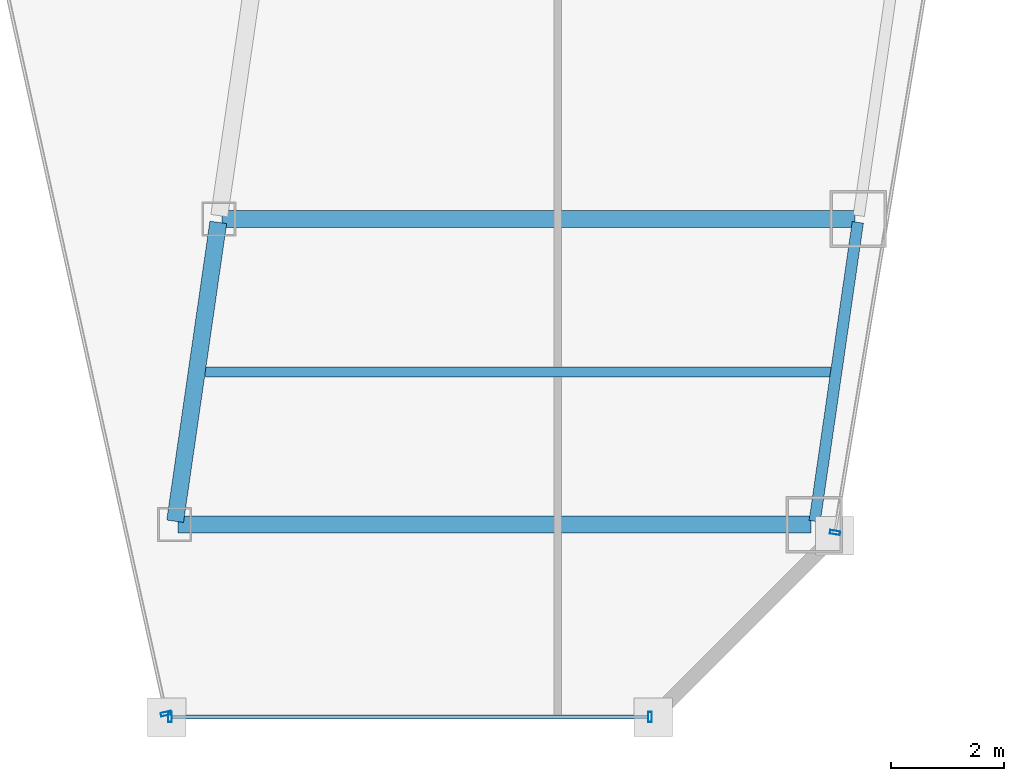
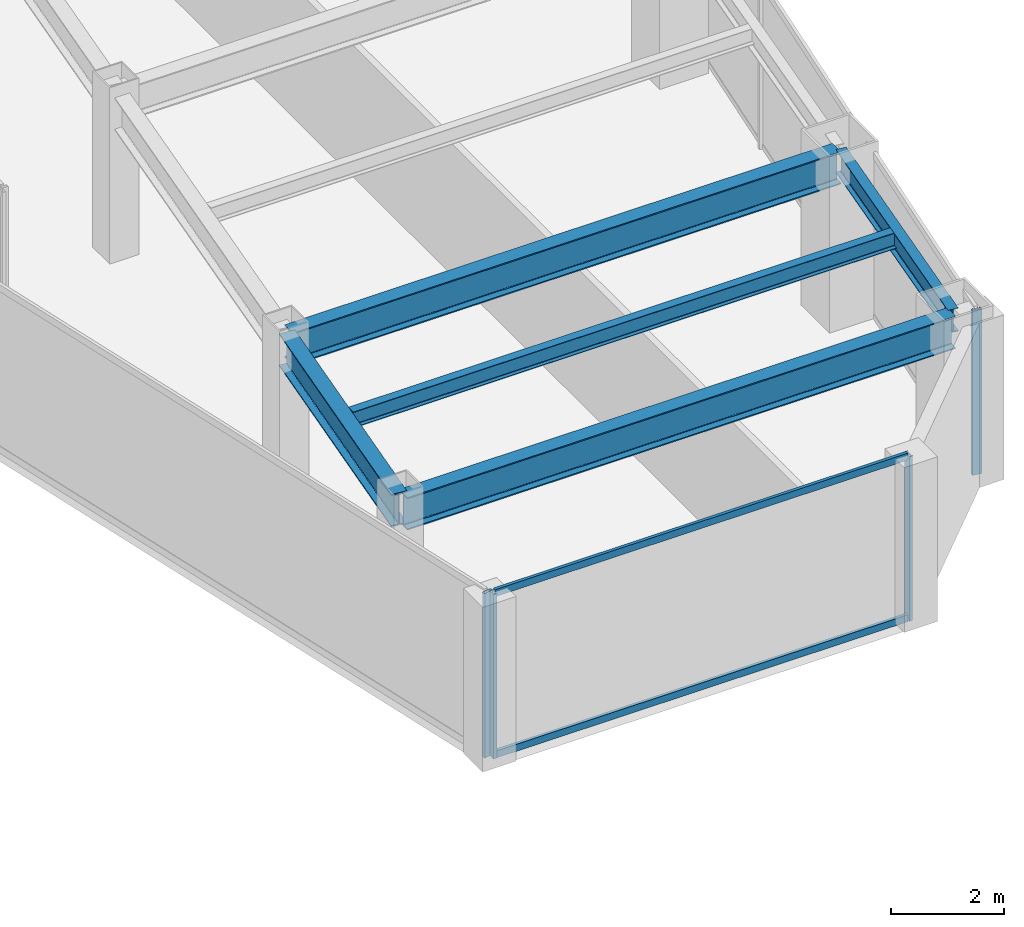
# One storey, part 14 of 37: 6 members, 5 beams, 3 elements without a shape of their own.
"""IFC4 building model written with IfcOpenShell, lengths in metres."""

import ifcopenshell
import ifcopenshell.guid

model = None  # the IFC model being written
_history = None  # IfcOwnerHistory: only IFC2X3 demands one
_inside = {}  # id of a spatial element -> (the spatial element, [elements in it])
_under = {}  # id of a project, library or spatial element -> (it, [spatial elements below it])
_declared = {}  # id of a project -> (the project, [libraries it declares])
_typed = {}  # id of a type object -> (the type object, [elements of that type])
_made_of = {}  # id of a material, layer set ... -> (it, [elements and type objects made of it])


def new_model(schema):
    """Start an empty IFC model of exactly this schema.

    Asked for "IFC4X3", IfcOpenShell would pick the latest addendum, in which some entities
    have other attributes; the version numbers below select the first issue.
    IFC2X3 requires an IfcOwnerHistory on every rooted entity: one is made here for all.
    """
    global model, _history
    if schema == "IFC4X3":
        model = ifcopenshell.file(schema_version=(4, 3, 0, 0))
    else:
        model = ifcopenshell.file(schema=schema)
    _inside.clear()
    _under.clear()
    _declared.clear()
    _typed.clear()
    _made_of.clear()
    _history = None
    if model.schema == "IFC2X3":
        org = make("IfcOrganization", Name="unknown")
        user = make(
            "IfcPersonAndOrganization",
            ThePerson=make("IfcPerson", FamilyName="unknown"),
            TheOrganization=org,
        )
        app = make(
            "IfcApplication",
            ApplicationDeveloper=org,
            Version="unknown",
            ApplicationFullName="unknown",
            ApplicationIdentifier="unknown",
        )
        _history = make(
            "IfcOwnerHistory",
            OwningUser=user,
            OwningApplication=app,
            ChangeAction="ADDED",
            CreationDate=0,
        )
    return model


def make(cls, **values):
    """One entity of the class cls with the attributes given. An attribute that is None is left unset."""
    return model.create_entity(
        cls, **{name: value for name, value in values.items() if value is not None}
    )


def rooted(cls, **values):
    """An entity with a GlobalId (a new one), such as an element, a storey or a relation."""
    return make(cls, GlobalId=ifcopenshell.guid.new(), OwnerHistory=_history, **values)


def si_unit(unit_type, name, prefix=None):
    """IfcSIUnit, for example si_unit("LENGTHUNIT", "METRE", prefix="MILLI")."""
    return make("IfcSIUnit", UnitType=unit_type, Prefix=prefix, Name=name)


def assignment(units):
    """IfcUnitAssignment: the units of a project."""
    return None if units is None else make("IfcUnitAssignment", Units=units)


def point(xyz):
    """IfcCartesianPoint."""
    return None if xyz is None else make("IfcCartesianPoint", Coordinates=xyz)


def direction(xyz):
    """IfcDirection."""
    return None if xyz is None else make("IfcDirection", DirectionRatios=xyz)


def frame(location, z_axis=None, x_axis=None):
    """IfcAxis2Placement3D, a coordinate frame: its origin and axes. An axis left out is left unset."""
    return make(
        "IfcAxis2Placement3D",
        Location=point(location),
        Axis=direction(z_axis),
        RefDirection=direction(x_axis),
    )


def frame_2d(location, x_axis=None):
    """IfcAxis2Placement2D, a coordinate frame in the plane: its origin and x axis."""
    return make(
        "IfcAxis2Placement2D", Location=point(location), RefDirection=direction(x_axis)
    )


def origin():
    """The frame at (0, 0, 0) with its axes left unset."""
    return frame((0.0, 0.0, 0.0))


def origin_2d():
    """The frame at (0, 0) in the plane with its x axis left unset."""
    return frame_2d((0.0, 0.0))


def place(relative_to, where):
    """IfcLocalPlacement: puts the frame where relative to a parent placement (None: the world)."""
    return make(
        "IfcLocalPlacement", PlacementRelTo=relative_to, RelativePlacement=where
    )


def context(
    kind, dimensions, precision=None, world=None, true_north=None, identifier=None
):
    """IfcGeometricRepresentationContext, for example the 3D "Model" context."""
    return make(
        "IfcGeometricRepresentationContext",
        ContextIdentifier=identifier,
        ContextType=kind,
        CoordinateSpaceDimension=dimensions,
        Precision=precision,
        WorldCoordinateSystem=world,
        TrueNorth=true_north,
    )


def subcontext(parent, identifier, kind, view, scale=None):
    """IfcGeometricRepresentationSubContext, for example "Body" below "Model"."""
    return make(
        "IfcGeometricRepresentationSubContext",
        ContextIdentifier=identifier,
        ContextType=kind,
        ParentContext=parent,
        TargetScale=scale,
        TargetView=view,
    )


def project(units=None, contexts=None):
    """IfcProject with its units and contexts."""
    return rooted(
        "IfcProject",
        Name="project",
        RepresentationContexts=contexts,
        UnitsInContext=assignment(units),
    )


def spatial(cls, under=None, at=None, **own):
    """A site, building, storey or space (cls), placed at a placement, below another one or the project."""
    s = rooted(cls, ObjectPlacement=at, **own)
    if under is not None:
        _under.setdefault(under.id(), (under, []))[1].append(s)
    return s


def profile(cls, at=None, kind="AREA", **sizes):
    """A parametric profile (cls). Its sizes go by their IFC names, for example OverallWidth=200.0."""
    return make(cls, ProfileType=kind, Position=at, **sizes)


def hollow_rectangle(**sizes):
    """IfcRectangleHollowProfileDef."""
    return profile("IfcRectangleHollowProfileDef", **sizes)


def i_section(**sizes):
    """IfcIShapeProfileDef."""
    return profile("IfcIShapeProfileDef", **sizes)


def extrude(swept, where, along, depth):
    """IfcExtrudedAreaSolid: the profile swept, set in the frame where, extruded along a direction by depth."""
    return make(
        "IfcExtrudedAreaSolid",
        SweptArea=swept,
        Position=where,
        ExtrudedDirection=direction(along),
        Depth=depth,
    )


def shape(context_of_items, identifier, shape_type, items):
    """IfcShapeRepresentation: the items that make up one representation, for example the "Body"."""
    return make(
        "IfcShapeRepresentation",
        ContextOfItems=context_of_items,
        RepresentationIdentifier=identifier,
        RepresentationType=shape_type,
        Items=items,
    )


def material(Name=None, Category=None):
    """IfcMaterial."""
    return make("IfcMaterial", Name=Name, Category=Category)


def material_profile(
    of_material, cross_section, Name=None, Category=None, Priority=None
):
    """IfcMaterialProfile: a cross section and its material."""
    return make(
        "IfcMaterialProfile",
        Name=Name,
        Material=of_material,
        Profile=cross_section,
        Priority=Priority,
        Category=Category,
    )


def profile_set(profiles, Name=None, composite=None):
    """IfcMaterialProfileSet."""
    return make(
        "IfcMaterialProfileSet",
        Name=Name,
        MaterialProfiles=profiles,
        CompositeProfile=composite,
    )


def made_of(thing, what):
    """Note that an element or type object is made of a material, layer set ...; save() writes the relation."""
    if what is not None:
        _made_of.setdefault(what.id(), (what, []))[1].append(thing)
    return thing


def type_object(cls, material=None, **own):
    """A type object (cls), such as IfcWallType, which elements share."""
    return made_of(rooted(cls, **own), material)


def element(
    cls,
    number,
    at=None,
    inside=None,
    cuts=None,
    type_object=None,
    material=None,
    context=None,
    identifier="Body",
    shape_type=None,
    held_by="IfcProductDefinitionShape",
    body=None,
    shapes=None,
    **own,
):
    """One element of the class cls, such as IfcWall. Its Tag is "e" and its number.

    at: its placement. inside: the storey or other place that contains it. cuts: it is an
    opening in that element (IfcRelVoidsElement). A single representation is given by context,
    identifier, shape_type and body (its items); several are given by shapes. held_by: the class
    of the entity that holds the representations. save() writes the other relations.
    """
    e = rooted(cls, Tag="e%d" % number, ObjectPlacement=at, **own)
    if body is not None:
        shapes = [shape(context, identifier, shape_type, body)]
    if shapes is not None:
        e.Representation = make(held_by, Representations=shapes)
    if inside is not None:
        _inside.setdefault(inside.id(), (inside, []))[1].append(e)
    if cuts is not None:
        rooted(
            "IfcRelVoidsElement", RelatingBuildingElement=cuts, RelatedOpeningElement=e
        )
    if type_object is not None:
        _typed.setdefault(type_object.id(), (type_object, []))[1].append(e)
    return made_of(e, material)


def aggregate(whole, parts):
    """IfcRelAggregates: a whole, such as a stair, and the parts it consists of."""
    return rooted("IfcRelAggregates", RelatingObject=whole, RelatedObjects=parts)


def save(model, path):
    """Write the relations noted so far, then the file.

    IfcRelAggregates (storeys below a building ...), IfcRelContainedInSpatialStructure (elements
    in a storey), IfcRelDefinesByType, IfcRelAssociatesMaterial and IfcRelDeclares: one each for
    every whole, place, type object, material and project.
    """
    for whole, parts in _under.values():
        aggregate(whole, parts)
    for where, things in _inside.values():
        rooted(
            "IfcRelContainedInSpatialStructure",
            RelatedElements=things,
            RelatingStructure=where,
        )
    for kind, things in _typed.values():
        rooted("IfcRelDefinesByType", RelatedObjects=things, RelatingType=kind)
    for what, things in _made_of.values():
        rooted("IfcRelAssociatesMaterial", RelatedObjects=things, RelatingMaterial=what)
    for by, libraries in _declared.values():
        rooted("IfcRelDeclares", RelatingContext=by, RelatedDefinitions=libraries)
    model.write(path)


model = new_model("IFC4")

# Units and contexts
model_context = context("Model", 3, precision=1e-05, world=origin(), true_north=direction((0.0, 1.0)))
body_context = subcontext(model_context, "Body", "Model", "MODEL_VIEW")
ifc_project = project(units=[si_unit("LENGTHUNIT", "METRE"), si_unit("AREAUNIT", "SQUARE_METRE"), si_unit("VOLUMEUNIT", "CUBIC_METRE"), si_unit("PLANEANGLEUNIT", "RADIAN"), si_unit("MASSUNIT", "GRAM", prefix="KILO")], contexts=[model_context])

# Site, building, storey
site_placement = place(None, origin())
site = spatial("IfcSite", under=ifc_project, at=site_placement, CompositionType="ELEMENT")
building_placement = place(site_placement, origin())
building = spatial("IfcBuilding", under=site, at=building_placement, Name="Saevonmaru Cultural Tower", CompositionType="ELEMENT")
storey_placement = place(building_placement, frame((0.0, 0.0, 160.0)))
storey = spatial("IfcBuildingStorey", under=building, at=storey_placement, Name="L35", CompositionType="ELEMENT", Elevation=160.0)

# Beams
ifc_material_1 = material(Name="Steel SM355", Category="steel")
ifc_material_profile_1 = material_profile(ifc_material_1, i_section(OverallWidth=0.300048828125, OverallDepth=0.699951171875, WebThickness=0.012939453125, FlangeThickness=0.02392578125, FilletRadius=0.02587890625, at=origin_2d()), Name="H-700x300x13x24")
ifc_profile_set_1 = profile_set([ifc_material_profile_1], Name="Steel SM355")
beam_type_1 = type_object("IfcBeamType", Name="BM-G-H700", PredefinedType="BEAM", material=ifc_profile_set_1)
beam_1_placement = place(storey_placement, frame((37.300537109375, 10.659423828125, 3.199951171875), z_axis=(0.142977693794, 0.989725911087, 0.0), x_axis=(-0.989725911087, 0.142977693794, 0.0)))
element("IfcBeam", 1, at=beam_1_placement, inside=storey, type_object=beam_type_1, Name="L35 East Atrium Girder 1", PredefinedType="BEAM", context=body_context, shape_type="SweptSolid", body=[
    extrude(i_section(OverallWidth=0.300048828125, OverallDepth=0.699951171875, WebThickness=0.012939453125, FlangeThickness=0.02392578125, FilletRadius=0.02587890625, at=origin_2d()), origin(), (0.0, 0.0, 1.0), 5.336181640625),
])
for number, where, z_axis, x_axis, name in (
    (2, (37.35205078125, 10.60009765625, 3.199951171875), (1.0, 0.0, 0.0), (0.0, 1.0, 0.0), "L35 East Wing Transverse Girder 1"),
    (3, (38.132080078125, 16.0, 3.199951171875), (1.0, 0.0, 0.0), (0.0, 1.0, 0.0), "L35 East Wing Transverse Girder 2"),
):
    element("IfcBeam", number, at=place(storey_placement, frame(where, z_axis=z_axis, x_axis=x_axis)), inside=storey, type_object=beam_type_1, Name=name, PredefinedType="BEAM", context=body_context, shape_type="SweptSolid", body=[
        extrude(i_section(OverallWidth=0.300048828125, OverallDepth=0.699951171875, WebThickness=0.012939453125, FlangeThickness=0.02392578125, FilletRadius=0.02587890625, at=origin_2d()), origin(), (0.0, 0.0, 1.0), 11.179931640625),
    ])
ifc_material_profile_2 = material_profile(ifc_material_1, i_section(OverallWidth=0.175048828125, OverallDepth=0.35009765625, WebThickness=0.007080078125, FlangeThickness=0.010986328125, FilletRadius=0.012939453125, at=origin_2d()), Name="H-350x175x7x11")
ifc_profile_set_2 = profile_set([ifc_material_profile_2], Name="Steel SM355")
beam_type_2 = type_object("IfcBeamType", Name="BM-J-H350", PredefinedType="JOIST", material=ifc_profile_set_2)
beam_2_placement = place(storey_placement, frame((37.840087890625, 13.300048828125, 3.375), z_axis=(1.0, 0.0, 0.0), x_axis=(0.0, 1.0, 0.0)))
element("IfcBeam", 4, at=beam_2_placement, inside=storey, type_object=beam_type_2, Name="L35 East Wing Floor Joist 1", PredefinedType="JOIST", context=body_context, shape_type="SweptSolid", body=[
    extrude(i_section(OverallWidth=0.175048828125, OverallDepth=0.35009765625, WebThickness=0.007080078125, FlangeThickness=0.010986328125, FilletRadius=0.012939453125, at=origin_2d()), origin(), (0.0, 0.0, 1.0), 11.08203125),
])
ifc_material_profile_3 = material_profile(ifc_material_1, i_section(OverallWidth=0.199951171875, OverallDepth=0.5, WebThickness=0.010009765625, FlangeThickness=0.01611328125, FilletRadius=0.02001953125, at=origin_2d()), Name="H-500x200x10x16")
ifc_profile_set_3 = profile_set([ifc_material_profile_3], Name="Steel SM355")
beam_type_3 = type_object("IfcBeamType", Name="BM-SP-H500", PredefinedType="SPANDREL", material=ifc_profile_set_3)
beam_3_placement = place(storey_placement, frame((48.6005859375, 10.659423828125, 3.300048828125), z_axis=(0.1429328758, 0.989732384544, 0.0), x_axis=(-0.989732384544, 0.1429328758, 0.0)))
element("IfcBeam", 5, at=beam_3_placement, inside=storey, type_object=beam_type_3, Name="L35 East Splayed Spandrel 1", PredefinedType="SPANDREL", context=body_context, shape_type="SweptSolid", body=[
    extrude(i_section(OverallWidth=0.199951171875, OverallDepth=0.5, WebThickness=0.010009765625, FlangeThickness=0.01611328125, FilletRadius=0.02001953125, at=origin_2d()), origin(), (0.0, 0.0, 1.0), 5.3359375),
])

# Curtain wall, member
ifc_material_2 = material(Name="Satin Bronze Anodised Aluminium", Category="aluminium")
curtain_wall_type = type_object("IfcCurtainWallType", Name="CW-TYP-A", PredefinedType="NOTDEFINED", material=ifc_material_2)
curtain_wall_1_placement = place(storey_placement, origin())
curtain_wall_1 = element("IfcCurtainWall", 6, at=curtain_wall_1_placement, inside=storey, type_object=curtain_wall_type, Name="L35 Unitised Curtain Wall E5", PredefinedType="NOTDEFINED")
ifc_material_profile_4 = material_profile(ifc_material_2, hollow_rectangle(XDim=0.06494140625, YDim=0.179931640625, WallThickness=0.00390625, at=origin_2d()), Name="ALU-MULL-180x65x4")
ifc_profile_set_4 = profile_set([ifc_material_profile_4], Name="Satin Bronze Anodised Aluminium")
member_type_1 = type_object("IfcMemberType", Name="ML-CW-180x65", PredefinedType="MULLION", material=ifc_profile_set_4)
member_1_placement = place(storey_placement, frame((37.13818359375, 7.258544921875, 0.0), z_axis=(0.0, 0.0, 1.0), x_axis=(0.215413319953, -0.976522965212, 0.0)))
member_1 = element("IfcMember", 7, at=member_1_placement, type_object=member_type_1, Name="CW-TW-L35-E5 mullion 2", PredefinedType="MULLION", context=body_context, shape_type="SweptSolid", body=[
    extrude(hollow_rectangle(XDim=0.06494140625, YDim=0.179931640625, WallThickness=0.00390625, at=origin_2d()), origin(), (0.0, 0.0, 1.0), 3.550048828125),
])
aggregate(curtain_wall_1, [member_1])

# Curtain wall, members
curtain_wall_2_placement = place(storey_placement, origin())
curtain_wall_2 = element("IfcCurtainWall", 8, at=curtain_wall_2_placement, inside=storey, type_object=curtain_wall_type, Name="L35 Unitised Curtain Wall E6", PredefinedType="NOTDEFINED")
member_2_placement = place(storey_placement, frame((37.211181640625, 7.199951171875, 0.0), z_axis=(0.0, 0.0, 1.0), x_axis=(1.0, 0.0, 0.0)))
member_2 = element("IfcMember", 9, at=member_2_placement, type_object=member_type_1, Name="CW-TW-L35-E6 mullion 1", PredefinedType="MULLION", context=body_context, shape_type="SweptSolid", body=[
    extrude(hollow_rectangle(XDim=0.06494140625, YDim=0.179931640625, WallThickness=0.00390625, at=origin_2d()), origin(), (0.0, 0.0, 1.0), 3.550048828125),
])
member_3_placement = place(storey_placement, frame((45.691162109375, 7.199951171875, 0.0), z_axis=(0.0, 0.0, 1.0), x_axis=(1.0, 0.0, 0.0)))
member_3 = element("IfcMember", 10, at=member_3_placement, type_object=member_type_1, Name="CW-TW-L35-E6 mullion 2", PredefinedType="MULLION", context=body_context, shape_type="SweptSolid", body=[
    extrude(hollow_rectangle(XDim=0.06494140625, YDim=0.179931640625, WallThickness=0.00390625, at=origin_2d()), origin(), (0.0, 0.0, 1.0), 3.550048828125),
])

# Curtain wall, member
curtain_wall_3_placement = place(storey_placement, origin())
curtain_wall_3 = element("IfcCurtainWall", 11, at=curtain_wall_3_placement, inside=storey, type_object=curtain_wall_type, Name="L35 Unitised Curtain Wall E8", PredefinedType="NOTDEFINED")
member_4_placement = place(storey_placement, frame((48.9609375, 10.459228515625, 0.0), z_axis=(0.0, 0.0, 1.0), x_axis=(0.163998702345, 0.986460554523, 0.0)))
member_4 = element("IfcMember", 12, at=member_4_placement, type_object=member_type_1, Name="CW-TW-L35-E8 mullion 1", PredefinedType="MULLION", context=body_context, shape_type="SweptSolid", body=[
    extrude(hollow_rectangle(XDim=0.06494140625, YDim=0.179931640625, WallThickness=0.00390625, at=origin_2d()), origin(), (0.0, 0.0, 1.0), 3.550048828125),
])
aggregate(curtain_wall_3, [member_4])

# Member
ifc_material_profile_5 = material_profile(ifc_material_2, hollow_rectangle(XDim=0.06494140625, YDim=0.14990234375, WallThickness=0.00390625, at=origin_2d()), Name="ALU-TRAN-150x65x4")
ifc_profile_set_5 = profile_set([ifc_material_profile_5], Name="Satin Bronze Anodised Aluminium")
member_type_2 = type_object("IfcMemberType", Name="TR-CW-150x65", PredefinedType="USERDEFINED", material=ifc_profile_set_5)
member_5_placement = place(storey_placement, frame((37.24365234375, 7.199951171875, 0.032470703125), z_axis=(1.0, 0.0, 0.0), x_axis=(0.0, 1.0, 0.0)))
member_5 = element("IfcMember", 13, at=member_5_placement, type_object=member_type_2, Name="CW-TW-L35-E6 transom 1.1", ObjectType="TRANSOM", PredefinedType="USERDEFINED", context=body_context, shape_type="SweptSolid", body=[
    extrude(hollow_rectangle(XDim=0.06494140625, YDim=0.14990234375, WallThickness=0.00390625, at=origin_2d()), origin(), (0.0, 0.0, 1.0), 8.4150390625),
])

member_6_placement = place(storey_placement, frame((37.24365234375, 7.199951171875, 3.517578125), z_axis=(1.0, 0.0, 0.0), x_axis=(0.0, 1.0, 0.0)))
member_6 = element("IfcMember", 14, at=member_6_placement, type_object=member_type_2, Name="CW-TW-L35-E6 transom 1.2", ObjectType="TRANSOM", PredefinedType="USERDEFINED", context=body_context, shape_type="SweptSolid", body=[
    extrude(hollow_rectangle(XDim=0.06494140625, YDim=0.14990234375, WallThickness=0.00390625, at=origin_2d()), origin(), (0.0, 0.0, 1.0), 8.4150390625),
])

aggregate(curtain_wall_2, [member_2, member_3, member_5, member_6])

save(model, "model.ifc")
